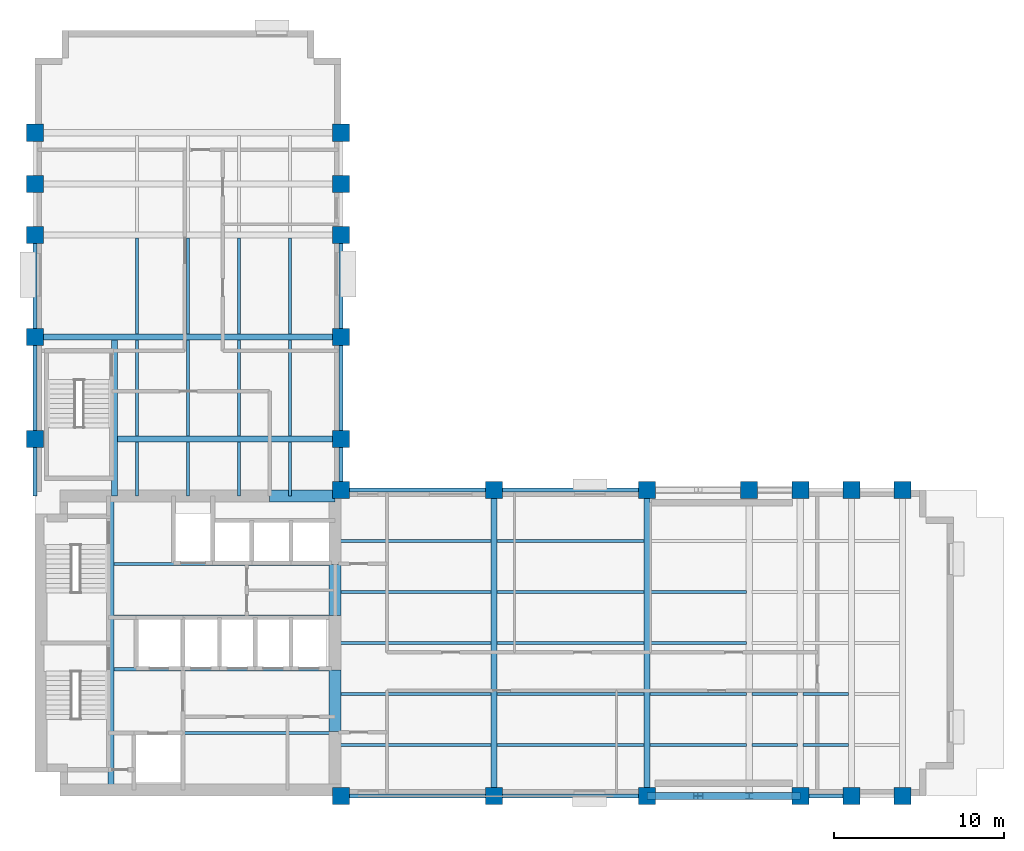
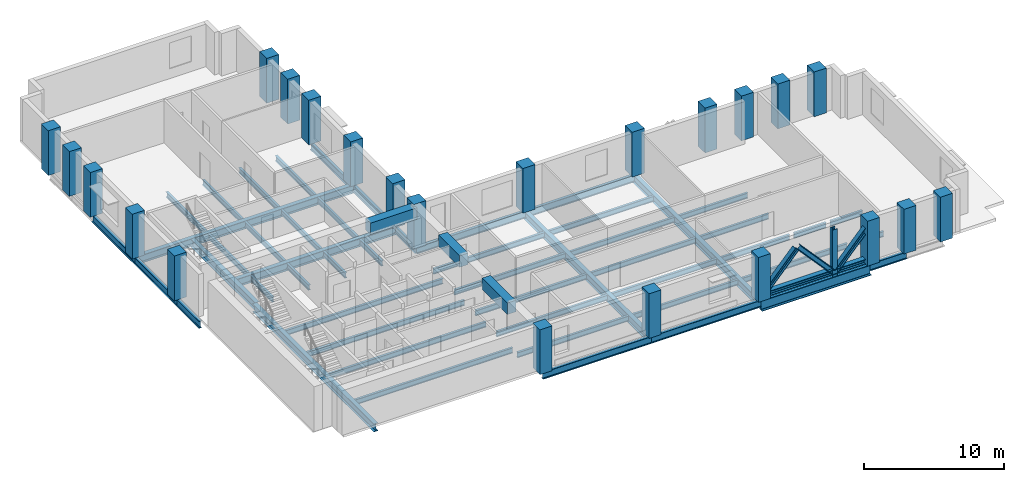
# One storey, part 1 of 7: 55 beams, 24 columns, 4 members.
"""IFC4 building model written with IfcOpenShell, lengths in metres."""

from ifc_helpers import new_model, si_unit, direction, frame, origin, origin_2d, place, context, subcontext, project, spatial, rectangle, i_section, extrude, material, material_profile, profile_set, type_object, element, save


model = new_model("IFC4")

# Units and contexts
model_context = context("Model", 3, precision=1e-05, world=origin(), true_north=direction((0.0, 1.0)))
body_context = subcontext(model_context, "Body", "Model", "MODEL_VIEW")
ifc_project = project(units=[si_unit("LENGTHUNIT", "METRE"), si_unit("AREAUNIT", "SQUARE_METRE"), si_unit("VOLUMEUNIT", "CUBIC_METRE"), si_unit("PLANEANGLEUNIT", "RADIAN"), si_unit("MASSUNIT", "GRAM", prefix="KILO")], contexts=[model_context])

# Site, building, storey
site_placement = place(None, origin())
site = spatial("IfcSite", under=ifc_project, at=site_placement, CompositionType="ELEMENT")
building_placement = place(site_placement, origin())
building = spatial("IfcBuilding", under=site, at=building_placement, Name="Mawjdan Bourse Tower", CompositionType="ELEMENT")
storey_placement = place(building_placement, frame((0.0, 0.0, 128.39990234375)))
storey = spatial("IfcBuildingStorey", under=building, at=storey_placement, Name="L30", CompositionType="ELEMENT", Elevation=128.39990234375)

# Columns
ifc_material_1 = material(Name="Concrete C70/85", Category="concrete")
ifc_material_profile_1 = material_profile(ifc_material_1, rectangle(XDim=1.0, YDim=1.0, at=origin_2d()), Name="RC1000X1000")
ifc_profile_set_1 = profile_set([ifc_material_profile_1], Name="Concrete C70/85")
column_type_1 = type_object("IfcColumnType", Name="COL-RC1000X1000", PredefinedType="COLUMN", material=ifc_profile_set_1)
for number, where, z_axis, x_axis, name in (
    (1, (24.0, 3.0, 0.0), (0.0, 0.0, 1.0), (1.0, 0.0, 0.0), "L30 Structural Column C-X240-Y30"),
    (2, (24.0, 21.0, 0.0), (0.0, 0.0, 1.0), (1.0, 0.0, 0.0), "L30 Structural Column C-X240-Y210"),
    (3, (33.0, 3.0, 0.0), (0.0, 0.0, 1.0), (1.0, 0.0, 0.0), "L30 Structural Column C-X330-Y30"),
    (4, (33.0, 21.0, 0.0), (0.0, 0.0, 1.0), (1.0, 0.0, 0.0), "L30 Structural Column C-X330-Y210"),
    (5, (42.0, 3.0, 0.0), (0.0, 0.0, 1.0), (1.0, 0.0, 0.0), "L30 Structural Column C-X420-Y30"),
    (6, (42.0, 21.0, 0.0), (0.0, 0.0, 1.0), (1.0, 0.0, 0.0), "L30 Structural Column C-X420-Y210"),
    (7, (48.0, 21.0, 0.0), (0.0, 0.0, 1.0), (1.0, 0.0, 0.0), "L30 Structural Column C-X480-Y210"),
    (8, (51.0, 3.0, 0.0), (0.0, 0.0, 1.0), (1.0, 0.0, 0.0), "L30 Structural Column C-X510-Y30"),
    (9, (51.0, 21.0, 0.0), (0.0, 0.0, 1.0), (1.0, 0.0, 0.0), "L30 Structural Column C-X510-Y210"),
    (10, (54.0, 3.0, 0.0), (0.0, 0.0, 1.0), (1.0, 0.0, 0.0), "L30 Structural Column C-X540-Y30"),
    (11, (54.0, 21.0, 0.0), (0.0, 0.0, 1.0), (1.0, 0.0, 0.0), "L30 Structural Column C-X540-Y210"),
    (12, (57.0, 3.0, 0.0), (0.0, 0.0, 1.0), (1.0, 0.0, 0.0), "L30 Structural Column C-X570-Y30"),
    (13, (57.0, 21.0, 0.0), (0.0, 0.0, 1.0), (1.0, 0.0, 0.0), "L30 Structural Column C-X570-Y210"),
    (14, (6.0, 24.0, 0.0), (0.0, 0.0, 1.0), (1.0, 0.0, 0.0), "L30 Structural Column C-X60-Y240"),
    (15, (24.0, 24.0, 0.0), (0.0, 0.0, 1.0), (1.0, 0.0, 0.0), "L30 Structural Column C-X240-Y240"),
    (16, (6.0, 30.0, 0.0), (0.0, 0.0, 1.0), (1.0, 0.0, 0.0), "L30 Structural Column C-X60-Y300"),
    (17, (24.0, 30.0, 0.0), (0.0, 0.0, 1.0), (1.0, 0.0, 0.0), "L30 Structural Column C-X240-Y300"),
    (18, (6.0, 36.0, 0.0), (0.0, 0.0, 1.0), (1.0, 0.0, 0.0), "L30 Structural Column C-X60-Y360"),
    (19, (24.0, 36.0, 0.0), (0.0, 0.0, 1.0), (1.0, 0.0, 0.0), "L30 Structural Column C-X240-Y360"),
    (20, (6.0, 39.0, 0.0), (0.0, 0.0, 1.0), (1.0, 0.0, 0.0), "L30 Structural Column C-X60-Y390"),
    (21, (24.0, 39.0, 0.0), (0.0, 0.0, 1.0), (1.0, 0.0, 0.0), "L30 Structural Column C-X240-Y390"),
    (22, (6.0, 42.0, 0.0), (0.0, 0.0, 1.0), (1.0, 0.0, 0.0), "L30 Structural Column C-X60-Y420"),
    (23, (24.0, 42.0, 0.0), (0.0, 0.0, 1.0), (1.0, 0.0, 0.0), "L30 Structural Column C-X240-Y420"),
):
    element("IfcColumn", number, at=place(storey_placement, frame(where, z_axis=z_axis, x_axis=x_axis)), inside=storey, type_object=column_type_1, Name=name, PredefinedType="COLUMN", context=body_context, shape_type="SweptSolid", body=[
        extrude(rectangle(XDim=1.0, YDim=1.0, at=origin_2d()), origin(), (0.0, 0.0, 1.0), 3.900146484375),
    ])
ifc_material_2 = material(Name="Structural Steel S355", Category="steel")
ifc_material_profile_2 = material_profile(ifc_material_2, i_section(OverallWidth=0.40087890625, OverallDepth=0.39892578125, WebThickness=0.02490234375, FlangeThickness=0.03955078125, FilletRadius=0.03173828125, at=origin_2d()), Name="W14X211")
ifc_profile_set_2 = profile_set([ifc_material_profile_2], Name="Structural Steel S355")
column_type_2 = type_object("IfcColumnType", Name="COL-W14X211", PredefinedType="COLUMN", material=ifc_profile_set_2)
column_placement = place(storey_placement, frame((48.0, 3.0, -0.199951171875), z_axis=(0.0, 0.0, 1.0), x_axis=(1.0, 0.0, 0.0)))
element("IfcColumn", 24, at=column_placement, inside=storey, type_object=column_type_2, Name="L30 Structural Column C-X480-Y30", PredefinedType="COLUMN", context=body_context, shape_type="SweptSolid", body=[
    extrude(i_section(OverallWidth=0.40087890625, OverallDepth=0.39892578125, WebThickness=0.02490234375, FlangeThickness=0.03955078125, FilletRadius=0.03173828125, at=origin_2d()), origin(), (0.0, 0.0, 1.0), 4.10009765625),
])

# Members
ifc_material_3 = material(Name="Structural Steel S460", Category="steel")
ifc_material_profile_3 = material_profile(ifc_material_3, i_section(OverallWidth=0.40087890625, OverallDepth=0.39892578125, WebThickness=0.02490234375, FlangeThickness=0.03955078125, FilletRadius=0.03173828125, at=origin_2d()), Name="W14X211")
ifc_profile_set_3 = profile_set([ifc_material_profile_3], Name="Structural Steel S460")
member_type_1 = type_object("IfcMemberType", Name="BRC-W14X211", PredefinedType="BRACE", material=ifc_profile_set_3)
for number, where, z_axis, x_axis, name in (
    (25, (42.1201171875, 3.0, 0.2001953125), (0.670969274355, 0.0, 0.741485153507), (0.0, 1.0, 0.0), "L30 East Void Portal Transfer Truss South Diagonal 1"),
    (26, (45.1201171875, 3.0, 3.25), (0.670969274355, 0.0, -0.741485153507), (0.0, 1.0, 0.0), "L30 East Void Portal Transfer Truss South Diagonal 2"),
    (27, (48.1201171875, 3.0, 0.2001953125), (0.670969274355, 0.0, 0.741485153507), (0.0, 1.0, 0.0), "L30 East Void Portal Transfer Truss South Diagonal 3"),
):
    element("IfcMember", number, at=place(storey_placement, frame(where, z_axis=z_axis, x_axis=x_axis)), inside=storey, type_object=member_type_1, Name=name, PredefinedType="BRACE", context=body_context, shape_type="SweptSolid", body=[
        extrude(i_section(OverallWidth=0.40087890625, OverallDepth=0.39892578125, WebThickness=0.02490234375, FlangeThickness=0.03955078125, FilletRadius=0.03173828125, at=origin_2d()), origin(), (0.0, 0.0, 1.0), 4.113037109375),
    ])
ifc_material_profile_4 = material_profile(ifc_material_3, i_section(OverallWidth=0.412109375, OverallDepth=0.43505859375, WebThickness=0.035888671875, FlangeThickness=0.057373046875, FilletRadius=0.0458984375, at=origin_2d()), Name="W14X311")
ifc_profile_set_4 = profile_set([ifc_material_profile_4], Name="Structural Steel S460")
member_type_2 = type_object("IfcMemberType", Name="CHD-W14X311", PredefinedType="CHORD", material=ifc_profile_set_4)
member_placement = place(storey_placement, frame((42.0, 3.0, 0.2001953125), z_axis=(1.0, 0.0, 0.0), x_axis=(0.0, 1.0, 0.0)))
element("IfcMember", 28, at=member_placement, inside=storey, type_object=member_type_2, Name="L30 East Void Portal Transfer Truss South Bottom Chord", PredefinedType="CHORD", context=body_context, shape_type="SweptSolid", body=[
    extrude(i_section(OverallWidth=0.412109375, OverallDepth=0.43505859375, WebThickness=0.035888671875, FlangeThickness=0.057373046875, FilletRadius=0.0458984375, at=origin_2d()), origin(), (0.0, 0.0, 1.0), 9.0),
])

# Beams
ifc_material_profile_5 = material_profile(ifc_material_2, i_section(OverallWidth=0.35498046875, OverallDepth=0.696044921875, WebThickness=0.015380859375, FlangeThickness=0.02490234375, FilletRadius=0.019775390625, at=origin_2d()), Name="W27X146")
ifc_profile_set_5 = profile_set([ifc_material_profile_5], Name="Structural Steel S355")
beam_type_1 = type_object("IfcBeamType", Name="GRD-W27X146", PredefinedType="BEAM", material=ifc_profile_set_5)
beam_1_placement = place(storey_placement, frame((10.47998046875, 3.35009765625, -0.5478515625), z_axis=(0.0, 1.0, 0.0), x_axis=(-1.0, 0.0, 0.0)))
element("IfcBeam", 29, at=beam_1_placement, inside=storey, type_object=beam_type_1, Name="L30 Core Stair Trimmer Girder 001", PredefinedType="BEAM", context=body_context, shape_type="SweptSolid", body=[
    extrude(i_section(OverallWidth=0.35498046875, OverallDepth=0.696044921875, WebThickness=0.015380859375, FlangeThickness=0.02490234375, FilletRadius=0.019775390625, at=origin_2d()), origin(), (0.0, 0.0, 1.0), 17.2998046875),
])
for number, where, z_axis, x_axis, name in (
    (30, (33.0, 3.0, -0.5478515625), (0.0, 1.0, 0.0), (-1.0, 0.0, 0.0), "L30 East Wing Clear-Span Girder 002"),
    (31, (42.0, 3.0, -0.5478515625), (0.0, 1.0, 0.0), (-1.0, 0.0, 0.0), "L30 East Wing Clear-Span Girder 003"),
):
    element("IfcBeam", number, at=place(storey_placement, frame(where, z_axis=z_axis, x_axis=x_axis)), inside=storey, type_object=beam_type_1, Name=name, PredefinedType="BEAM", context=body_context, shape_type="SweptSolid", body=[
        extrude(i_section(OverallWidth=0.35498046875, OverallDepth=0.696044921875, WebThickness=0.015380859375, FlangeThickness=0.02490234375, FilletRadius=0.019775390625, at=origin_2d()), origin(), (0.0, 0.0, 1.0), 18.0),
    ])
beam_2_placement = place(storey_placement, frame((10.679931640625, 20.64990234375, -0.5478515625), z_axis=(0.0, 1.0, 0.0), x_axis=(-1.0, 0.0, 0.0)))
element("IfcBeam", 32, at=beam_2_placement, inside=storey, type_object=beam_type_1, Name="L30 North Wing Stair Trimmer Girder 053", PredefinedType="BEAM", context=body_context, shape_type="SweptSolid", body=[
    extrude(i_section(OverallWidth=0.35498046875, OverallDepth=0.696044921875, WebThickness=0.015380859375, FlangeThickness=0.02490234375, FilletRadius=0.019775390625, at=origin_2d()), origin(), (0.0, 0.0, 1.0), 9.174560546875),
])
beam_3_placement = place(storey_placement, frame((10.85546875, 24.0, -0.5478515625), z_axis=(1.0, 0.0, 0.0), x_axis=(0.0, 1.0, 0.0)))
element("IfcBeam", 33, at=beam_3_placement, inside=storey, type_object=beam_type_1, Name="L30 North Wing Clear-Span Girder 054", PredefinedType="BEAM", context=body_context, shape_type="SweptSolid", body=[
    extrude(i_section(OverallWidth=0.35498046875, OverallDepth=0.696044921875, WebThickness=0.015380859375, FlangeThickness=0.02490234375, FilletRadius=0.019775390625, at=origin_2d()), origin(), (0.0, 0.0, 1.0), 13.14453125),
])
beam_4_placement = place(storey_placement, frame((6.0, 30.0, -0.5478515625), z_axis=(1.0, 0.0, 0.0), x_axis=(0.0, 1.0, 0.0)))
element("IfcBeam", 34, at=beam_4_placement, inside=storey, type_object=beam_type_1, Name="L30 North Wing Clear-Span Girder 055", PredefinedType="BEAM", context=body_context, shape_type="SweptSolid", body=[
    extrude(i_section(OverallWidth=0.35498046875, OverallDepth=0.696044921875, WebThickness=0.015380859375, FlangeThickness=0.02490234375, FilletRadius=0.019775390625, at=origin_2d()), origin(), (0.0, 0.0, 1.0), 18.0),
])
ifc_material_profile_6 = material_profile(ifc_material_2, i_section(OverallWidth=0.18994140625, OverallDepth=0.45703125, WebThickness=0.009033203125, FlangeThickness=0.014404296875, FilletRadius=0.01171875, at=origin_2d()), Name="W18X50")
ifc_profile_set_6 = profile_set([ifc_material_profile_6], Name="Structural Steel S355")
beam_type_2 = type_object("IfcBeamType", Name="JST-W18X50", PredefinedType="JOIST", material=ifc_profile_set_6)
beam_5_placement = place(storey_placement, frame((23.64990234375, 6.0, -0.428466796875), z_axis=(1.0, 0.0, 0.0), x_axis=(0.0, 1.0, 0.0)))
element("IfcBeam", 35, at=beam_5_placement, inside=storey, type_object=beam_type_2, Name="L30 East Wing Composite Joist 019", PredefinedType="JOIST", context=body_context, shape_type="SweptSolid", body=[
    extrude(i_section(OverallWidth=0.18994140625, OverallDepth=0.45703125, WebThickness=0.009033203125, FlangeThickness=0.014404296875, FilletRadius=0.01171875, at=origin_2d()), origin(), (0.0, 0.0, 1.0), 9.174560546875),
])
beam_6_placement = place(storey_placement, frame((33.175537109375, 6.0, -0.428466796875), z_axis=(1.0, 0.0, 0.0), x_axis=(0.0, 1.0, 0.0)))
element("IfcBeam", 36, at=beam_6_placement, inside=storey, type_object=beam_type_2, Name="L30 East Wing Composite Joist 020", PredefinedType="JOIST", context=body_context, shape_type="SweptSolid", body=[
    extrude(i_section(OverallWidth=0.18994140625, OverallDepth=0.45703125, WebThickness=0.009033203125, FlangeThickness=0.014404296875, FilletRadius=0.01171875, at=origin_2d()), origin(), (0.0, 0.0, 1.0), 8.64892578125),
])
beam_7_placement = place(storey_placement, frame((42.175537109375, 6.0, -0.428466796875), z_axis=(1.0, 0.0, 0.0), x_axis=(0.0, 1.0, 0.0)))
element("IfcBeam", 37, at=beam_7_placement, inside=storey, type_object=beam_type_2, Name="L30 East Wing Composite Joist 021", PredefinedType="JOIST", context=body_context, shape_type="SweptSolid", body=[
    extrude(i_section(OverallWidth=0.18994140625, OverallDepth=0.45703125, WebThickness=0.009033203125, FlangeThickness=0.014404296875, FilletRadius=0.01171875, at=origin_2d()), origin(), (0.0, 0.0, 1.0), 5.64892578125),
])
for number, where, z_axis, x_axis, name in (
    (38, (48.175537109375, 6.0, -0.428466796875), (1.0, 0.0, 0.0), (0.0, 1.0, 0.0), "L30 East Wing Composite Joist 022"),
    (39, (51.175537109375, 6.0, -0.428466796875), (1.0, 0.0, 0.0), (0.0, 1.0, 0.0), "L30 East Wing Composite Joist 023"),
):
    element("IfcBeam", number, at=place(storey_placement, frame(where, z_axis=z_axis, x_axis=x_axis)), inside=storey, type_object=beam_type_2, Name=name, PredefinedType="JOIST", context=body_context, shape_type="SweptSolid", body=[
        extrude(i_section(OverallWidth=0.18994140625, OverallDepth=0.45703125, WebThickness=0.009033203125, FlangeThickness=0.014404296875, FilletRadius=0.01171875, at=origin_2d()), origin(), (0.0, 0.0, 1.0), 2.64892578125),
    ])
beam_8_placement = place(storey_placement, frame((23.64990234375, 9.0, -0.428466796875), z_axis=(1.0, 0.0, 0.0), x_axis=(0.0, 1.0, 0.0)))
element("IfcBeam", 40, at=beam_8_placement, inside=storey, type_object=beam_type_2, Name="L30 East Wing Composite Joist 025", PredefinedType="JOIST", context=body_context, shape_type="SweptSolid", body=[
    extrude(i_section(OverallWidth=0.18994140625, OverallDepth=0.45703125, WebThickness=0.009033203125, FlangeThickness=0.014404296875, FilletRadius=0.01171875, at=origin_2d()), origin(), (0.0, 0.0, 1.0), 9.174560546875),
])
beam_9_placement = place(storey_placement, frame((33.175537109375, 9.0, -0.428466796875), z_axis=(1.0, 0.0, 0.0), x_axis=(0.0, 1.0, 0.0)))
element("IfcBeam", 41, at=beam_9_placement, inside=storey, type_object=beam_type_2, Name="L30 East Wing Composite Joist 026", PredefinedType="JOIST", context=body_context, shape_type="SweptSolid", body=[
    extrude(i_section(OverallWidth=0.18994140625, OverallDepth=0.45703125, WebThickness=0.009033203125, FlangeThickness=0.014404296875, FilletRadius=0.01171875, at=origin_2d()), origin(), (0.0, 0.0, 1.0), 8.64892578125),
])
beam_10_placement = place(storey_placement, frame((42.175537109375, 9.0, -0.428466796875), z_axis=(1.0, 0.0, 0.0), x_axis=(0.0, 1.0, 0.0)))
element("IfcBeam", 42, at=beam_10_placement, inside=storey, type_object=beam_type_2, Name="L30 East Wing Composite Joist 027", PredefinedType="JOIST", context=body_context, shape_type="SweptSolid", body=[
    extrude(i_section(OverallWidth=0.18994140625, OverallDepth=0.45703125, WebThickness=0.009033203125, FlangeThickness=0.014404296875, FilletRadius=0.01171875, at=origin_2d()), origin(), (0.0, 0.0, 1.0), 5.64892578125),
])
for number, where, z_axis, x_axis, name in (
    (43, (48.175537109375, 9.0, -0.428466796875), (1.0, 0.0, 0.0), (0.0, 1.0, 0.0), "L30 East Wing Composite Joist 028"),
    (44, (51.175537109375, 9.0, -0.428466796875), (1.0, 0.0, 0.0), (0.0, 1.0, 0.0), "L30 East Wing Composite Joist 029"),
):
    element("IfcBeam", number, at=place(storey_placement, frame(where, z_axis=z_axis, x_axis=x_axis)), inside=storey, type_object=beam_type_2, Name=name, PredefinedType="JOIST", context=body_context, shape_type="SweptSolid", body=[
        extrude(i_section(OverallWidth=0.18994140625, OverallDepth=0.45703125, WebThickness=0.009033203125, FlangeThickness=0.014404296875, FilletRadius=0.01171875, at=origin_2d()), origin(), (0.0, 0.0, 1.0), 2.64892578125),
    ])
beam_11_placement = place(storey_placement, frame((23.64990234375, 12.0, -0.428466796875), z_axis=(1.0, 0.0, 0.0), x_axis=(0.0, 1.0, 0.0)))
element("IfcBeam", 45, at=beam_11_placement, inside=storey, type_object=beam_type_2, Name="L30 East Wing Composite Joist 031", PredefinedType="JOIST", context=body_context, shape_type="SweptSolid", body=[
    extrude(i_section(OverallWidth=0.18994140625, OverallDepth=0.45703125, WebThickness=0.009033203125, FlangeThickness=0.014404296875, FilletRadius=0.01171875, at=origin_2d()), origin(), (0.0, 0.0, 1.0), 9.174560546875),
])
beam_12_placement = place(storey_placement, frame((33.175537109375, 12.0, -0.428466796875), z_axis=(1.0, 0.0, 0.0), x_axis=(0.0, 1.0, 0.0)))
element("IfcBeam", 46, at=beam_12_placement, inside=storey, type_object=beam_type_2, Name="L30 East Wing Composite Joist 032", PredefinedType="JOIST", context=body_context, shape_type="SweptSolid", body=[
    extrude(i_section(OverallWidth=0.18994140625, OverallDepth=0.45703125, WebThickness=0.009033203125, FlangeThickness=0.014404296875, FilletRadius=0.01171875, at=origin_2d()), origin(), (0.0, 0.0, 1.0), 8.64892578125),
])
beam_13_placement = place(storey_placement, frame((42.175537109375, 12.0, -0.428466796875), z_axis=(1.0, 0.0, 0.0), x_axis=(0.0, 1.0, 0.0)))
element("IfcBeam", 47, at=beam_13_placement, inside=storey, type_object=beam_type_2, Name="L30 East Wing Composite Joist 033", PredefinedType="JOIST", context=body_context, shape_type="SweptSolid", body=[
    extrude(i_section(OverallWidth=0.18994140625, OverallDepth=0.45703125, WebThickness=0.009033203125, FlangeThickness=0.014404296875, FilletRadius=0.01171875, at=origin_2d()), origin(), (0.0, 0.0, 1.0), 5.64892578125),
])
beam_14_placement = place(storey_placement, frame((23.64990234375, 15.0, -0.428466796875), z_axis=(1.0, 0.0, 0.0), x_axis=(0.0, 1.0, 0.0)))
element("IfcBeam", 48, at=beam_14_placement, inside=storey, type_object=beam_type_2, Name="L30 East Wing Composite Joist 037", PredefinedType="JOIST", context=body_context, shape_type="SweptSolid", body=[
    extrude(i_section(OverallWidth=0.18994140625, OverallDepth=0.45703125, WebThickness=0.009033203125, FlangeThickness=0.014404296875, FilletRadius=0.01171875, at=origin_2d()), origin(), (0.0, 0.0, 1.0), 9.174560546875),
])
beam_15_placement = place(storey_placement, frame((33.175537109375, 15.0, -0.428466796875), z_axis=(1.0, 0.0, 0.0), x_axis=(0.0, 1.0, 0.0)))
element("IfcBeam", 49, at=beam_15_placement, inside=storey, type_object=beam_type_2, Name="L30 East Wing Composite Joist 038", PredefinedType="JOIST", context=body_context, shape_type="SweptSolid", body=[
    extrude(i_section(OverallWidth=0.18994140625, OverallDepth=0.45703125, WebThickness=0.009033203125, FlangeThickness=0.014404296875, FilletRadius=0.01171875, at=origin_2d()), origin(), (0.0, 0.0, 1.0), 8.64892578125),
])
beam_16_placement = place(storey_placement, frame((42.175537109375, 15.0, -0.428466796875), z_axis=(1.0, 0.0, 0.0), x_axis=(0.0, 1.0, 0.0)))
element("IfcBeam", 50, at=beam_16_placement, inside=storey, type_object=beam_type_2, Name="L30 East Wing Composite Joist 039", PredefinedType="JOIST", context=body_context, shape_type="SweptSolid", body=[
    extrude(i_section(OverallWidth=0.18994140625, OverallDepth=0.45703125, WebThickness=0.009033203125, FlangeThickness=0.014404296875, FilletRadius=0.01171875, at=origin_2d()), origin(), (0.0, 0.0, 1.0), 5.64892578125),
])
beam_17_placement = place(storey_placement, frame((23.64990234375, 18.0, -0.428466796875), z_axis=(1.0, 0.0, 0.0), x_axis=(0.0, 1.0, 0.0)))
element("IfcBeam", 51, at=beam_17_placement, inside=storey, type_object=beam_type_2, Name="L30 East Wing Composite Joist 043", PredefinedType="JOIST", context=body_context, shape_type="SweptSolid", body=[
    extrude(i_section(OverallWidth=0.18994140625, OverallDepth=0.45703125, WebThickness=0.009033203125, FlangeThickness=0.014404296875, FilletRadius=0.01171875, at=origin_2d()), origin(), (0.0, 0.0, 1.0), 9.174560546875),
])
beam_18_placement = place(storey_placement, frame((33.175537109375, 18.0, -0.428466796875), z_axis=(1.0, 0.0, 0.0), x_axis=(0.0, 1.0, 0.0)))
element("IfcBeam", 52, at=beam_18_placement, inside=storey, type_object=beam_type_2, Name="L30 East Wing Composite Joist 044", PredefinedType="JOIST", context=body_context, shape_type="SweptSolid", body=[
    extrude(i_section(OverallWidth=0.18994140625, OverallDepth=0.45703125, WebThickness=0.009033203125, FlangeThickness=0.014404296875, FilletRadius=0.01171875, at=origin_2d()), origin(), (0.0, 0.0, 1.0), 8.64892578125),
])
for number, where, z_axis, x_axis, name in (
    (53, (10.655517578125, 6.699951171875, -0.428466796875), (1.0, 0.0, 0.0), (0.0, 1.0, 0.0), "L30 Core Floor Joist 049"),
    (54, (10.655517578125, 10.449951171875, -0.428466796875), (1.0, 0.0, 0.0), (0.0, 1.0, 0.0), "L30 Core Floor Joist 050"),
    (55, (10.655517578125, 13.550048828125, -0.428466796875), (1.0, 0.0, 0.0), (0.0, 1.0, 0.0), "L30 Core Floor Joist 051"),
    (56, (10.655517578125, 16.64990234375, -0.428466796875), (1.0, 0.0, 0.0), (0.0, 1.0, 0.0), "L30 Core Floor Joist 052"),
):
    element("IfcBeam", number, at=place(storey_placement, frame(where, z_axis=z_axis, x_axis=x_axis)), inside=storey, type_object=beam_type_2, Name=name, PredefinedType="JOIST", context=body_context, shape_type="SweptSolid", body=[
        extrude(i_section(OverallWidth=0.18994140625, OverallDepth=0.45703125, WebThickness=0.009033203125, FlangeThickness=0.014404296875, FilletRadius=0.01171875, at=origin_2d()), origin(), (0.0, 0.0, 1.0), 12.994384765625),
    ])
beam_19_placement = place(storey_placement, frame((12.0, 20.64990234375, -0.428466796875), z_axis=(0.0, 1.0, 0.0), x_axis=(-1.0, 0.0, 0.0)))
element("IfcBeam", 57, at=beam_19_placement, inside=storey, type_object=beam_type_2, Name="L30 North Wing Composite Joist 069", PredefinedType="JOIST", context=body_context, shape_type="SweptSolid", body=[
    extrude(i_section(OverallWidth=0.18994140625, OverallDepth=0.45703125, WebThickness=0.009033203125, FlangeThickness=0.014404296875, FilletRadius=0.01171875, at=origin_2d()), origin(), (0.0, 0.0, 1.0), 3.174560546875),
])
for number, where, z_axis, x_axis, name in (
    (58, (12.0, 24.175537109375, -0.428466796875), (0.0, 1.0, 0.0), (-1.0, 0.0, 0.0), "L30 North Wing Composite Joist 070"),
    (59, (12.0, 30.175537109375, -0.428466796875), (0.0, 1.0, 0.0), (-1.0, 0.0, 0.0), "L30 North Wing Composite Joist 071"),
):
    element("IfcBeam", number, at=place(storey_placement, frame(where, z_axis=z_axis, x_axis=x_axis)), inside=storey, type_object=beam_type_2, Name=name, PredefinedType="JOIST", context=body_context, shape_type="SweptSolid", body=[
        extrude(i_section(OverallWidth=0.18994140625, OverallDepth=0.45703125, WebThickness=0.009033203125, FlangeThickness=0.014404296875, FilletRadius=0.01171875, at=origin_2d()), origin(), (0.0, 0.0, 1.0), 5.64892578125),
    ])
beam_20_placement = place(storey_placement, frame((15.0, 20.64990234375, -0.428466796875), z_axis=(0.0, 1.0, 0.0), x_axis=(-1.0, 0.0, 0.0)))
element("IfcBeam", 60, at=beam_20_placement, inside=storey, type_object=beam_type_2, Name="L30 North Wing Composite Joist 074", PredefinedType="JOIST", context=body_context, shape_type="SweptSolid", body=[
    extrude(i_section(OverallWidth=0.18994140625, OverallDepth=0.45703125, WebThickness=0.009033203125, FlangeThickness=0.014404296875, FilletRadius=0.01171875, at=origin_2d()), origin(), (0.0, 0.0, 1.0), 3.174560546875),
])
for number, where, z_axis, x_axis, name in (
    (61, (15.0, 24.175537109375, -0.428466796875), (0.0, 1.0, 0.0), (-1.0, 0.0, 0.0), "L30 North Wing Composite Joist 075"),
    (62, (15.0, 30.175537109375, -0.428466796875), (0.0, 1.0, 0.0), (-1.0, 0.0, 0.0), "L30 North Wing Composite Joist 076"),
):
    element("IfcBeam", number, at=place(storey_placement, frame(where, z_axis=z_axis, x_axis=x_axis)), inside=storey, type_object=beam_type_2, Name=name, PredefinedType="JOIST", context=body_context, shape_type="SweptSolid", body=[
        extrude(i_section(OverallWidth=0.18994140625, OverallDepth=0.45703125, WebThickness=0.009033203125, FlangeThickness=0.014404296875, FilletRadius=0.01171875, at=origin_2d()), origin(), (0.0, 0.0, 1.0), 5.64892578125),
    ])
beam_21_placement = place(storey_placement, frame((18.0, 20.64990234375, -0.428466796875), z_axis=(0.0, 1.0, 0.0), x_axis=(-1.0, 0.0, 0.0)))
element("IfcBeam", 63, at=beam_21_placement, inside=storey, type_object=beam_type_2, Name="L30 North Wing Composite Joist 079", PredefinedType="JOIST", context=body_context, shape_type="SweptSolid", body=[
    extrude(i_section(OverallWidth=0.18994140625, OverallDepth=0.45703125, WebThickness=0.009033203125, FlangeThickness=0.014404296875, FilletRadius=0.01171875, at=origin_2d()), origin(), (0.0, 0.0, 1.0), 3.174560546875),
])
for number, where, z_axis, x_axis, name in (
    (64, (18.0, 24.175537109375, -0.428466796875), (0.0, 1.0, 0.0), (-1.0, 0.0, 0.0), "L30 North Wing Composite Joist 080"),
    (65, (18.0, 30.175537109375, -0.428466796875), (0.0, 1.0, 0.0), (-1.0, 0.0, 0.0), "L30 North Wing Composite Joist 081"),
):
    element("IfcBeam", number, at=place(storey_placement, frame(where, z_axis=z_axis, x_axis=x_axis)), inside=storey, type_object=beam_type_2, Name=name, PredefinedType="JOIST", context=body_context, shape_type="SweptSolid", body=[
        extrude(i_section(OverallWidth=0.18994140625, OverallDepth=0.45703125, WebThickness=0.009033203125, FlangeThickness=0.014404296875, FilletRadius=0.01171875, at=origin_2d()), origin(), (0.0, 0.0, 1.0), 5.64892578125),
    ])
beam_22_placement = place(storey_placement, frame((21.0, 20.64990234375, -0.428466796875), z_axis=(0.0, 1.0, 0.0), x_axis=(-1.0, 0.0, 0.0)))
element("IfcBeam", 66, at=beam_22_placement, inside=storey, type_object=beam_type_2, Name="L30 North Wing Composite Joist 084", PredefinedType="JOIST", context=body_context, shape_type="SweptSolid", body=[
    extrude(i_section(OverallWidth=0.18994140625, OverallDepth=0.45703125, WebThickness=0.009033203125, FlangeThickness=0.014404296875, FilletRadius=0.01171875, at=origin_2d()), origin(), (0.0, 0.0, 1.0), 3.174560546875),
])
for number, where, z_axis, x_axis, name in (
    (67, (21.0, 24.175537109375, -0.428466796875), (0.0, 1.0, 0.0), (-1.0, 0.0, 0.0), "L30 North Wing Composite Joist 085"),
    (68, (21.0, 30.175537109375, -0.428466796875), (0.0, 1.0, 0.0), (-1.0, 0.0, 0.0), "L30 North Wing Composite Joist 086"),
):
    element("IfcBeam", number, at=place(storey_placement, frame(where, z_axis=z_axis, x_axis=x_axis)), inside=storey, type_object=beam_type_2, Name=name, PredefinedType="JOIST", context=body_context, shape_type="SweptSolid", body=[
        extrude(i_section(OverallWidth=0.18994140625, OverallDepth=0.45703125, WebThickness=0.009033203125, FlangeThickness=0.014404296875, FilletRadius=0.01171875, at=origin_2d()), origin(), (0.0, 0.0, 1.0), 5.64892578125),
    ])
ifc_material_profile_7 = material_profile(ifc_material_1, rectangle(XDim=0.699951171875, YDim=1.0, at=origin_2d()), Name="RCB700X1000")
ifc_profile_set_7 = profile_set([ifc_material_profile_7], Name="Concrete C70/85")
beam_type_3 = type_object("IfcBeamType", Name="LNT-RCB700X1000", PredefinedType="LINTEL", material=ifc_profile_set_7)
beam_23_placement = place(storey_placement, frame((23.64990234375, 6.800048828125, 3.2001953125), z_axis=(0.0, 1.0, 0.0), x_axis=(-1.0, 0.0, 0.0)))
element("IfcBeam", 69, at=beam_23_placement, inside=storey, type_object=beam_type_3, Name="L30 Coupled Core Lintel CB-E1", PredefinedType="LINTEL", context=body_context, shape_type="SweptSolid", body=[
    extrude(rectangle(XDim=0.699951171875, YDim=1.0, at=origin_2d()), origin(), (0.0, 0.0, 1.0), 3.599853515625),
])
beam_24_placement = place(storey_placement, frame((23.64990234375, 13.60009765625, 3.2001953125), z_axis=(0.0, 1.0, 0.0), x_axis=(-1.0, 0.0, 0.0)))
element("IfcBeam", 70, at=beam_24_placement, inside=storey, type_object=beam_type_3, Name="L30 Coupled Core Lintel CB-E2", PredefinedType="LINTEL", context=body_context, shape_type="SweptSolid", body=[
    extrude(rectangle(XDim=0.699951171875, YDim=1.0, at=origin_2d()), origin(), (0.0, 0.0, 1.0), 3.0),
])
beam_25_placement = place(storey_placement, frame((19.800048828125, 20.64990234375, 3.2001953125), z_axis=(1.0, 0.0, 0.0), x_axis=(0.0, 1.0, 0.0)))
element("IfcBeam", 71, at=beam_25_placement, inside=storey, type_object=beam_type_3, Name="L30 Coupled Core Lintel CB-N1", PredefinedType="LINTEL", context=body_context, shape_type="SweptSolid", body=[
    extrude(rectangle(XDim=0.699951171875, YDim=1.0, at=origin_2d()), origin(), (0.0, 0.0, 1.0), 3.849853515625),
])
ifc_material_profile_8 = material_profile(ifc_material_2, i_section(OverallWidth=0.22998046875, OverallDepth=0.616943359375, WebThickness=0.01318359375, FlangeThickness=0.022216796875, FilletRadius=0.017822265625, at=origin_2d()), Name="W24X94")
ifc_profile_set_8 = profile_set([ifc_material_profile_8], Name="Structural Steel S355")
beam_type_4 = type_object("IfcBeamType", Name="SPN-W24X94", PredefinedType="SPANDREL", material=ifc_profile_set_8)
for number, where, z_axis, x_axis, name in (
    (72, (24.0, 3.0, -0.50830078125), (1.0, 0.0, 0.0), (0.0, 1.0, 0.0), "L30 Perimeter Masonry-Shelf Spandrel 008"),
    (73, (33.0, 3.0, -0.50830078125), (1.0, 0.0, 0.0), (0.0, 1.0, 0.0), "L30 Perimeter Masonry-Shelf Spandrel 009"),
):
    element("IfcBeam", number, at=place(storey_placement, frame(where, z_axis=z_axis, x_axis=x_axis)), inside=storey, type_object=beam_type_4, Name=name, PredefinedType="SPANDREL", context=body_context, shape_type="SweptSolid", body=[
        extrude(i_section(OverallWidth=0.22998046875, OverallDepth=0.616943359375, WebThickness=0.01318359375, FlangeThickness=0.022216796875, FilletRadius=0.017822265625, at=origin_2d()), origin(), (0.0, 0.0, 1.0), 9.0),
    ])
beam_26_placement = place(storey_placement, frame((51.0, 3.0, -0.50830078125), z_axis=(1.0, 0.0, 0.0), x_axis=(0.0, 1.0, 0.0)))
element("IfcBeam", 74, at=beam_26_placement, inside=storey, type_object=beam_type_4, Name="L30 Perimeter Masonry-Shelf Spandrel 011", PredefinedType="SPANDREL", context=body_context, shape_type="SweptSolid", body=[
    extrude(i_section(OverallWidth=0.22998046875, OverallDepth=0.616943359375, WebThickness=0.01318359375, FlangeThickness=0.022216796875, FilletRadius=0.017822265625, at=origin_2d()), origin(), (0.0, 0.0, 1.0), 3.0),
])
for number, where, z_axis, x_axis, name in (
    (75, (24.0, 21.0, -0.50830078125), (1.0, 0.0, 0.0), (0.0, 1.0, 0.0), "L30 Perimeter Masonry-Shelf Spandrel 013"),
    (76, (33.0, 21.0, -0.50830078125), (1.0, 0.0, 0.0), (0.0, 1.0, 0.0), "L30 Perimeter Masonry-Shelf Spandrel 014"),
):
    element("IfcBeam", number, at=place(storey_placement, frame(where, z_axis=z_axis, x_axis=x_axis)), inside=storey, type_object=beam_type_4, Name=name, PredefinedType="SPANDREL", context=body_context, shape_type="SweptSolid", body=[
        extrude(i_section(OverallWidth=0.22998046875, OverallDepth=0.616943359375, WebThickness=0.01318359375, FlangeThickness=0.022216796875, FilletRadius=0.017822265625, at=origin_2d()), origin(), (0.0, 0.0, 1.0), 9.0),
    ])
beam_27_placement = place(storey_placement, frame((6.0, 20.64990234375, -0.50830078125), z_axis=(0.0, 1.0, 0.0), x_axis=(-1.0, 0.0, 0.0)))
element("IfcBeam", 77, at=beam_27_placement, inside=storey, type_object=beam_type_4, Name="L30 North Wing Spandrel 059", PredefinedType="SPANDREL", context=body_context, shape_type="SweptSolid", body=[
    extrude(i_section(OverallWidth=0.22998046875, OverallDepth=0.616943359375, WebThickness=0.01318359375, FlangeThickness=0.022216796875, FilletRadius=0.017822265625, at=origin_2d()), origin(), (0.0, 0.0, 1.0), 3.35009765625),
])
for number, where, z_axis, x_axis, name in (
    (78, (6.0, 24.0, -0.50830078125), (0.0, 1.0, 0.0), (-1.0, 0.0, 0.0), "L30 North Wing Spandrel 060"),
    (79, (6.0, 30.0, -0.50830078125), (0.0, 1.0, 0.0), (-1.0, 0.0, 0.0), "L30 North Wing Spandrel 061"),
):
    element("IfcBeam", number, at=place(storey_placement, frame(where, z_axis=z_axis, x_axis=x_axis)), inside=storey, type_object=beam_type_4, Name=name, PredefinedType="SPANDREL", context=body_context, shape_type="SweptSolid", body=[
        extrude(i_section(OverallWidth=0.22998046875, OverallDepth=0.616943359375, WebThickness=0.01318359375, FlangeThickness=0.022216796875, FilletRadius=0.017822265625, at=origin_2d()), origin(), (0.0, 0.0, 1.0), 6.0),
    ])
beam_28_placement = place(storey_placement, frame((24.0, 21.0, -0.50830078125), z_axis=(0.0, 1.0, 0.0), x_axis=(-1.0, 0.0, 0.0)))
element("IfcBeam", 80, at=beam_28_placement, inside=storey, type_object=beam_type_4, Name="L30 North Wing Spandrel 064", PredefinedType="SPANDREL", context=body_context, shape_type="SweptSolid", body=[
    extrude(i_section(OverallWidth=0.22998046875, OverallDepth=0.616943359375, WebThickness=0.01318359375, FlangeThickness=0.022216796875, FilletRadius=0.017822265625, at=origin_2d()), origin(), (0.0, 0.0, 1.0), 3.0),
])
for number, where, z_axis, x_axis, name in (
    (81, (24.0, 24.0, -0.50830078125), (0.0, 1.0, 0.0), (-1.0, 0.0, 0.0), "L30 North Wing Spandrel 065"),
    (82, (24.0, 30.0, -0.50830078125), (0.0, 1.0, 0.0), (-1.0, 0.0, 0.0), "L30 North Wing Spandrel 066"),
):
    element("IfcBeam", number, at=place(storey_placement, frame(where, z_axis=z_axis, x_axis=x_axis)), inside=storey, type_object=beam_type_4, Name=name, PredefinedType="SPANDREL", context=body_context, shape_type="SweptSolid", body=[
        extrude(i_section(OverallWidth=0.22998046875, OverallDepth=0.616943359375, WebThickness=0.01318359375, FlangeThickness=0.022216796875, FilletRadius=0.017822265625, at=origin_2d()), origin(), (0.0, 0.0, 1.0), 6.0),
    ])
ifc_material_profile_9 = material_profile(ifc_material_3, i_section(OverallWidth=0.423095703125, OverallDepth=0.93994140625, WebThickness=0.02392578125, FlangeThickness=0.042724609375, FilletRadius=0.0341796875, at=origin_2d()), Name="W36X302")
ifc_profile_set_9 = profile_set([ifc_material_profile_9], Name="Structural Steel S460")
beam_type_5 = type_object("IfcBeamType", Name="XFR-GRD-W36X302", PredefinedType="BEAM", material=ifc_profile_set_9)
beam_29_placement = place(storey_placement, frame((42.0, 3.0, -0.669921875), z_axis=(1.0, 0.0, 0.0), x_axis=(0.0, 1.0, 0.0)))
element("IfcBeam", 83, at=beam_29_placement, inside=storey, type_object=beam_type_5, Name="L30 L30 Portal Transfer Girder 010", PredefinedType="BEAM", context=body_context, shape_type="SweptSolid", body=[
    extrude(i_section(OverallWidth=0.423095703125, OverallDepth=0.93994140625, WebThickness=0.02392578125, FlangeThickness=0.042724609375, FilletRadius=0.0341796875, at=origin_2d()), origin(), (0.0, 0.0, 1.0), 9.0),
])

save(model, "model.ifc")
